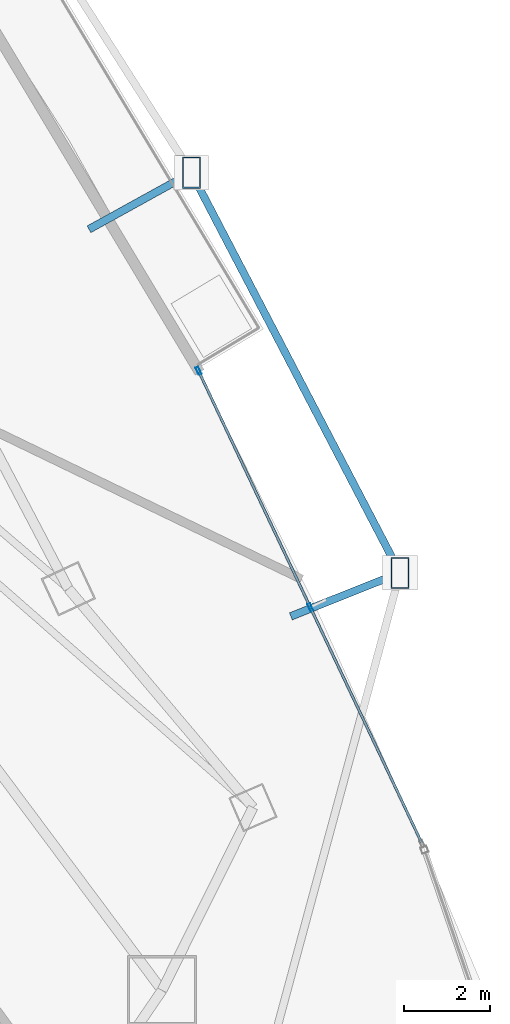
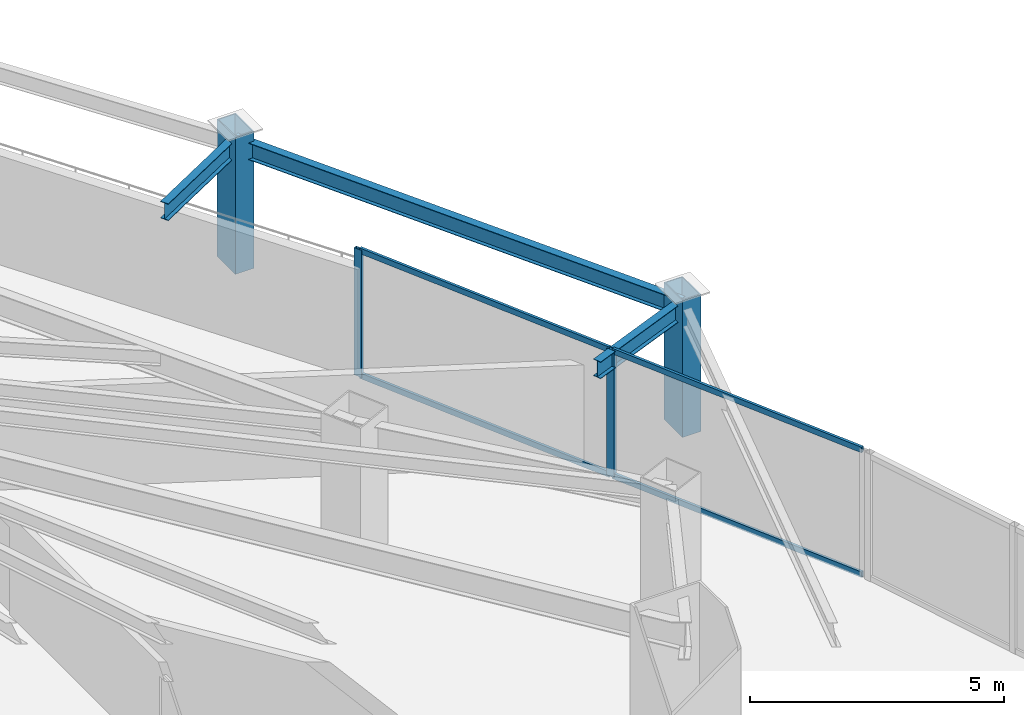
# One storey, part 19 of 33: 8 members, 3 beams, 1 element without a shape of its own.
"""IFC4 building model written with IfcOpenShell, lengths in metres."""

from ifc_helpers import new_model, si_unit, direction, frame, origin, origin_2d, place, context, subcontext, project, spatial, hollow_rectangle, i_section, extrude, material, layer, layer_set, material_profile, profile_set, type_object, element, aggregate, save


model = new_model("IFC4")

# Units and contexts
model_context = context("Model", 3, precision=1e-05, world=origin(), true_north=direction((0.0, 1.0)))
body_context = subcontext(model_context, "Body", "Model", "MODEL_VIEW")
ifc_project = project(units=[si_unit("LENGTHUNIT", "METRE"), si_unit("AREAUNIT", "SQUARE_METRE"), si_unit("VOLUMEUNIT", "CUBIC_METRE"), si_unit("PLANEANGLEUNIT", "RADIAN"), si_unit("MASSUNIT", "GRAM", prefix="KILO")], contexts=[model_context])

# Site, building, storey
site_placement = place(None, origin())
site = spatial("IfcSite", under=ifc_project, at=site_placement, CompositionType="ELEMENT")
building_placement = place(site_placement, origin())
building = spatial("IfcBuilding", under=site, at=building_placement, Name="Orvanel Arch Residences", CompositionType="ELEMENT")
storey_placement = place(building_placement, frame((0.0, 0.0, 87.35009765625)))
storey = spatial("IfcBuildingStorey", under=building, at=storey_placement, Name="L24", CompositionType="ELEMENT", Elevation=87.35009765625)

# Members
ifc_material_1 = material(Name="Structural steel AS/NZS 3678 Grade 350", Category="steel")
ifc_material_profile_1 = material_profile(ifc_material_1, hollow_rectangle(XDim=0.419921875, YDim=0.719970703125, WallThickness=0.02490234375, at=origin_2d()), Name="RHS720x420x25")
ifc_profile_set_1 = profile_set([ifc_material_profile_1], Name="Structural steel AS/NZS 3678 Grade 350")
member_type_1 = type_object("IfcMemberType", Name="CH-720RHS-EXT", PredefinedType="CHORD", material=ifc_profile_set_1)
for number, where, z_axis, x_axis, name in (
    (1, (57.305908203125, 20.010009765625, 0.0), (0.0, 0.0, 1.0), (1.0, 0.0, 0.0), "L24 Outer Perimeter Frame Post 09"),
    (2, (52.48095703125, 29.26708984375, 0.0), (0.0, 0.0, 1.0), (1.0, 0.0, 0.0), "L24 Outer Perimeter Frame Post 10"),
):
    element("IfcMember", number, at=place(storey_placement, frame(where, z_axis=z_axis, x_axis=x_axis)), inside=storey, type_object=member_type_1, Name=name, PredefinedType="CHORD", context=body_context, shape_type="SweptSolid", body=[
        extrude(hollow_rectangle(XDim=0.419921875, YDim=0.719970703125, WallThickness=0.02490234375, at=origin_2d()), origin(), (0.0, 0.0, 1.0), 3.2998046875),
    ])

# Curtain wall, members
ifc_material_2 = material(Name="Bronze-anodised aluminium AA6063-T6", Category="aluminium")
ifc_layer = layer(ifc_material_2, 0.179931640625)
ifc_layer_set = layer_set([ifc_layer], Name="Bronze-anodised aluminium AA6063-T6")
curtain_wall_type = type_object("IfcCurtainWallType", Name="CW2-LOW-SYS", PredefinedType="NOTDEFINED", material=ifc_layer_set)
curtain_wall_placement = place(storey_placement, origin())
curtain_wall = element("IfcCurtainWall", 3, at=curtain_wall_placement, inside=storey, type_object=curtain_wall_type, Name="L24 CW2-LOW-SYS Unitised Curtain Wall", PredefinedType="NOTDEFINED")
ifc_material_profile_2 = material_profile(ifc_material_2, hollow_rectangle(XDim=0.070068359375, YDim=0.179931640625, WallThickness=0.00439453125, at=origin_2d()), Name="ALU180x70x4.5")
ifc_profile_set_2 = profile_set([ifc_material_profile_2], Name="Bronze-anodised aluminium AA6063-T6")
member_type_2 = type_object("IfcMemberType", Name="MUL-180x70", PredefinedType="MULLION", material=ifc_profile_set_2)
member_1_placement = place(storey_placement, frame((55.23095703125, 19.214111328125, 0.0), z_axis=(0.0, 0.0, 1.0), x_axis=(-0.904068803442, -0.427386942528, 0.0)))
member_1 = element("IfcMember", 4, at=member_1_placement, type_object=member_type_2, Name="CW-S2 mullion 2", PredefinedType="MULLION", context=body_context, shape_type="SweptSolid", body=[
    extrude(hollow_rectangle(XDim=0.070068359375, YDim=0.179931640625, WallThickness=0.00439453125, at=origin_2d()), origin(), (0.0, 0.0, 1.0), 3.059814453125),
])
member_2_placement = place(storey_placement, frame((52.64501953125, 24.684326171875, 0.0), z_axis=(0.0, 0.0, 1.0), x_axis=(-0.904068803442, -0.427386942528, 0.0)))
member_2 = element("IfcMember", 5, at=member_2_placement, type_object=member_type_2, Name="CW-S2 mullion 3", PredefinedType="MULLION", context=body_context, shape_type="SweptSolid", body=[
    extrude(hollow_rectangle(XDim=0.070068359375, YDim=0.179931640625, WallThickness=0.00439453125, at=origin_2d()), origin(), (0.0, 0.0, 1.0), 3.059814453125),
])

# Beams
ifc_material_3 = material(Name="Structural steel AS/NZS 3679.1 Grade 300 (300 MPa)", Category="steel")
ifc_material_profile_3 = material_profile(ifc_material_3, i_section(OverallWidth=0.177978515625, OverallDepth=0.406005859375, WebThickness=0.0078125, FlangeThickness=0.0126953125, at=origin_2d()), Name="410UB59.7")
ifc_profile_set_3 = profile_set([ifc_material_profile_3], Name="Structural steel AS/NZS 3679.1 Grade 300 (300 MPa)")
beam_type = type_object("IfcBeamType", Name="OB-410UB-EXT", PredefinedType="SPANDREL", material=ifc_profile_set_3)
beam_1_placement = place(storey_placement, frame((54.781005859375, 19.0009765625, 2.85693359375), z_axis=(0.928594298398, 0.37109652246, 0.0), x_axis=(-0.37109652246, 0.928594298398, 0.0)))
element("IfcBeam", 6, at=beam_1_placement, inside=storey, type_object=beam_type, Name="L24 Outer Frame Radial Tie Beam 09", PredefinedType="SPANDREL", context=body_context, shape_type="SweptSolid", body=[
    extrude(i_section(OverallWidth=0.177978515625, OverallDepth=0.406005859375, WebThickness=0.0078125, FlangeThickness=0.0126953125, at=origin_2d()), origin(), (0.0, 0.0, 1.0), 2.718994140625),
])
beam_2_placement = place(storey_placement, frame((57.305908203125, 20.010009765625, 2.85693359375), z_axis=(-0.462202301193, 0.886774510669, 0.0), x_axis=(-0.886774510669, -0.462202301193, 0.0)))
element("IfcBeam", 7, at=beam_2_placement, inside=storey, type_object=beam_type, Name="L24 Outer Perimeter Floor Ring Beam 09", PredefinedType="SPANDREL", context=body_context, shape_type="SweptSolid", body=[
    extrude(i_section(OverallWidth=0.177978515625, OverallDepth=0.406005859375, WebThickness=0.0078125, FlangeThickness=0.0126953125, at=origin_2d()), origin(), (0.0, 0.0, 1.0), 10.43896484375),
])
beam_3_placement = place(storey_placement, frame((50.110107421875, 27.9580078125, 2.85693359375), z_axis=(0.875417228385, 0.483368054639, 0.0), x_axis=(-0.483368054639, 0.875417228385, 0.0)))
element("IfcBeam", 8, at=beam_3_placement, inside=storey, type_object=beam_type, Name="L24 Outer Frame Radial Tie Beam 10", PredefinedType="SPANDREL", context=body_context, shape_type="SweptSolid", body=[
    extrude(i_section(OverallWidth=0.177978515625, OverallDepth=0.406005859375, WebThickness=0.0078125, FlangeThickness=0.0126953125, at=origin_2d()), origin(), (0.0, 0.0, 1.0), 2.708251953125),
])

# Member
ifc_material_profile_4 = material_profile(ifc_material_2, hollow_rectangle(XDim=0.06005859375, YDim=0.135009765625, WallThickness=0.00390625, at=origin_2d()), Name="ALU135x60x4")
ifc_profile_set_4 = profile_set([ifc_material_profile_4], Name="Bronze-anodised aluminium AA6063-T6")
member_type_3 = type_object("IfcMemberType", Name="TRN-135x60", PredefinedType="USERDEFINED", material=ifc_profile_set_4)
member_3_placement = place(storey_placement, frame((57.802001953125, 13.775390625, 0.02978515625), z_axis=(-0.427396602619, 0.904064236695, 0.0), x_axis=(-0.904064236695, -0.427396602619, 0.0)))
member_3 = element("IfcMember", 9, at=member_3_placement, type_object=member_type_3, Name="CW-S2 transom 1.1", ObjectType="TRANSOM", PredefinedType="USERDEFINED", context=body_context, shape_type="SweptSolid", body=[
    extrude(hollow_rectangle(XDim=0.06005859375, YDim=0.135009765625, WallThickness=0.00390625, at=origin_2d()), origin(), (0.0, 0.0, 1.0), 5.980712890625),
])

member_4_placement = place(storey_placement, frame((57.802001953125, 13.775390625, 3.02978515625), z_axis=(-0.427396602619, 0.904064236695, 0.0), x_axis=(-0.904064236695, -0.427396602619, 0.0)))
member_4 = element("IfcMember", 10, at=member_4_placement, type_object=member_type_3, Name="CW-S2 transom 1.2", ObjectType="TRANSOM", PredefinedType="USERDEFINED", context=body_context, shape_type="SweptSolid", body=[
    extrude(hollow_rectangle(XDim=0.06005859375, YDim=0.135009765625, WallThickness=0.00390625, at=origin_2d()), origin(), (0.0, 0.0, 1.0), 5.980712890625),
])

member_5_placement = place(storey_placement, frame((55.216064453125, 19.24560546875, 0.02978515625), z_axis=(-0.42738083012, 0.904071692979, 0.0), x_axis=(-0.904071692979, -0.42738083012, 0.0)))
member_5 = element("IfcMember", 11, at=member_5_placement, type_object=member_type_3, Name="CW-S2 transom 2.1", ObjectType="TRANSOM", PredefinedType="USERDEFINED", context=body_context, shape_type="SweptSolid", body=[
    extrude(hollow_rectangle(XDim=0.06005859375, YDim=0.135009765625, WallThickness=0.00390625, at=origin_2d()), origin(), (0.0, 0.0, 1.0), 5.98095703125),
])

member_6_placement = place(storey_placement, frame((55.216064453125, 19.24560546875, 3.02978515625), z_axis=(-0.42738083012, 0.904071692979, 0.0), x_axis=(-0.904071692979, -0.42738083012, 0.0)))
member_6 = element("IfcMember", 12, at=member_6_placement, type_object=member_type_3, Name="CW-S2 transom 2.2", ObjectType="TRANSOM", PredefinedType="USERDEFINED", context=body_context, shape_type="SweptSolid", body=[
    extrude(hollow_rectangle(XDim=0.06005859375, YDim=0.135009765625, WallThickness=0.00390625, at=origin_2d()), origin(), (0.0, 0.0, 1.0), 5.98095703125),
])

aggregate(curtain_wall, [member_1, member_2, member_3, member_4, member_5, member_6])

save(model, "model.ifc")
